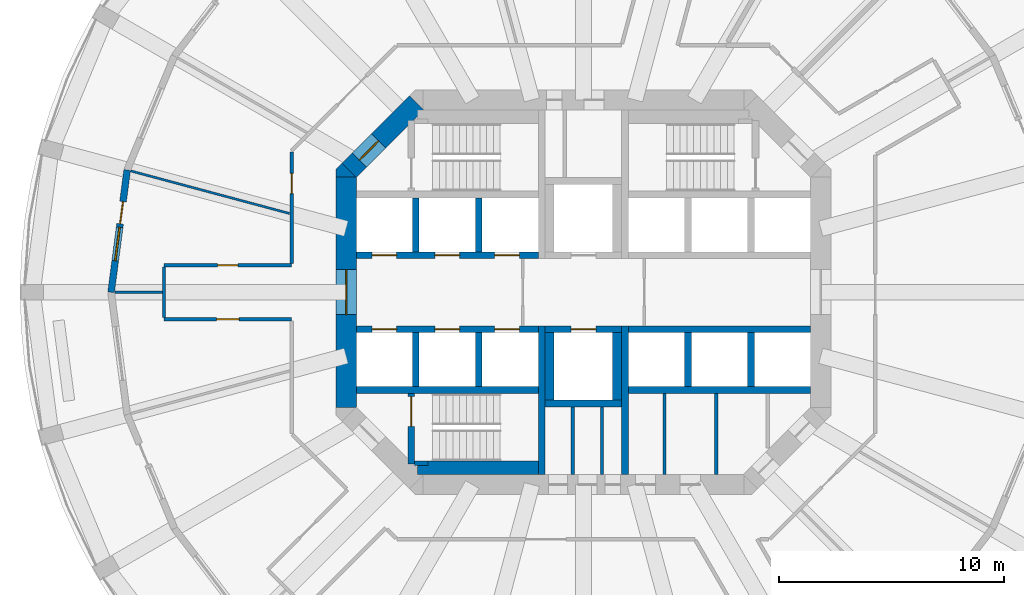
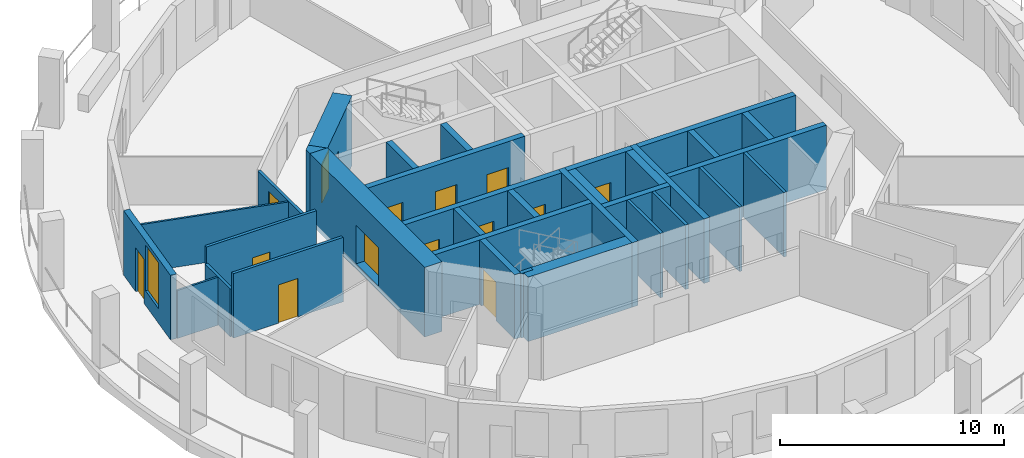
# One storey, part 3 of 8: 34 walls, 14 doors, 1 window, 15 openings.
"""IFC4 building model written with IfcOpenShell, lengths in metres."""

from ifc_helpers import new_model, si_unit, direction, frame, frame_2d, origin, place, context, subcontext, project, spatial, polyline, rectangle, outline, extrude, material, layer, layer_set, type_object, element, fill, save


model = new_model("IFC4")

# Units and contexts
model_context = context("Model", 3, precision=1e-05, world=origin(), true_north=direction((0.0, 1.0)))
body_context = subcontext(model_context, "Body", "Model", "MODEL_VIEW")
ifc_project = project(units=[si_unit("LENGTHUNIT", "METRE"), si_unit("AREAUNIT", "SQUARE_METRE"), si_unit("VOLUMEUNIT", "CUBIC_METRE"), si_unit("PLANEANGLEUNIT", "RADIAN"), si_unit("MASSUNIT", "GRAM", prefix="KILO")], contexts=[model_context])

# Site, building, storey
site_placement = place(None, origin())
site = spatial("IfcSite", under=ifc_project, at=site_placement, CompositionType="ELEMENT")
building_placement = place(site_placement, origin())
building = spatial("IfcBuilding", under=site, at=building_placement, Name="Torre Triforio", CompositionType="ELEMENT")
storey_placement = place(building_placement, frame((0.0, 0.0, 142.800048828125)))
storey = spatial("IfcBuildingStorey", under=building, at=storey_placement, Name="L32", CompositionType="ELEMENT", Elevation=142.800048828125)

# Walls
ifc_material_1 = material(Name="Concrete C60", Category="concrete")
ifc_layer_1 = layer(ifc_material_1, 0.300048828125)
ifc_layer_set_1 = layer_set([ifc_layer_1], Name="Concrete C60")
wall_type_1 = type_object("IfcWallType", Name="Core wall 300 mm C60 EI 120", PredefinedType="SHEAR", material=ifc_layer_set_1)
for number, where, z_axis, x_axis, name in (
    (1, (-1.85009765625, -8.10009765625, 0.0), (0.0, 0.0, 1.0), (0.0, 1.0, 0.0), "Core wall"),
    (2, (1.85009765625, -8.10009765625, 0.0), (0.0, 0.0, 1.0), (0.0, 1.0, 0.0), "Core wall"),
):
    element("IfcWall", number, at=place(storey_placement, frame(where, z_axis=z_axis, x_axis=x_axis)), inside=storey, type_object=wall_type_1, Name=name, PredefinedType="SHEAR", context=body_context, shape_type="SweptSolid", body=[
        extrude(rectangle(XDim=6.60009765625, YDim=0.300048828125, at=frame_2d((3.300048828125, 0.0))), origin(), (0.0, 0.0, 1.0), 3.52001953125),
    ])

# Wall, opening, door
ifc_layer_2 = layer(ifc_material_1, 0.89990234375)
ifc_layer_set_2 = layer_set([ifc_layer_2], Name="Concrete C60")
wall_type_2 = type_object("IfcWallType", Name="Core wall 900 mm C60 EI 120", PredefinedType="SHEAR", material=ifc_layer_set_2)
wall_1_placement = place(storey_placement, frame((-10.550048828125, -5.1298828125, -0.280029296875), z_axis=(0.0, 0.0, 1.0), x_axis=(0.0, 1.0, 0.0)))
wall_1 = element("IfcWall", 3, at=wall_1_placement, inside=storey, type_object=wall_type_2, Name="Core wall", PredefinedType="SHEAR", context=body_context, shape_type="SweptSolid", body=[
    extrude(rectangle(XDim=10.259765625, YDim=0.89990234375, at=frame_2d((5.1298828125, 0.0))), origin(), (0.0, 0.0, 1.0), 3.800048828125),
])
opening_1_placement = place(wall_1_placement, frame((4.1298828125, 0.0, 0.280029296875)))
opening_1 = element("IfcOpeningElement", 4, at=opening_1_placement, cuts=wall_1, Name="Opening W-RING", PredefinedType="OPENING", context=body_context, shape_type="SweptSolid", body=[
    extrude(rectangle(XDim=2.0, YDim=2.10009765625, at=frame_2d((1.0, 1.050048828125))), frame((0.0, 0.4599609375, 0.0), z_axis=(0.0, -1.0, 0.0), x_axis=(1.0, 0.0, 0.0)), (0.0, 0.0, 1.0), 0.919921875),
])
ifc_material_2 = material(Name="Hollow metal fire door leaf")
door_type_1 = type_object("IfcDoorType", Name="Lobby door 2000 x 2100 EI 60", OperationType="DOUBLE_DOOR_SINGLE_SWING", PredefinedType="DOOR", material=ifc_material_2)
door_1_placement = place(opening_1_placement, origin())
door_1 = element("IfcDoor", 5, at=door_1_placement, inside=storey, type_object=door_type_1, Name="Core door W-RING", OperationType="DOUBLE_DOOR_SINGLE_SWING", OverallHeight=2.10009765625, OverallWidth=2.0, PredefinedType="DOOR", context=body_context, shape_type="SweptSolid", body=[
    extrude(rectangle(XDim=2.0, YDim=2.10009765625, at=frame_2d((1.0, 1.050048828125))), frame((0.0, 0.02490234375, 0.0), z_axis=(0.0, -1.0, 0.0), x_axis=(1.0, 0.0, 0.0)), (0.0, 0.0, 1.0), 0.050048828125),
])
fill(opening_1, door_1)

wall_2_placement = place(storey_placement, frame((-10.418212890625, 5.418212890625, -0.280029296875), z_axis=(0.0, 0.0, 1.0), x_axis=(0.707106781187, 0.707106781187, 0.0)))
wall_2 = element("IfcWall", 6, at=wall_2_placement, inside=storey, type_object=wall_type_2, Name="Core wall", PredefinedType="SHEAR", context=body_context, shape_type="SweptSolid", body=[
    extrude(rectangle(XDim=4.24267578125, YDim=0.89990234375, at=frame_2d((2.121337890625, 0.0))), origin(), (0.0, 0.0, 1.0), 3.800048828125),
])
opening_2_placement = place(wall_2_placement, frame((0.64990234375, 0.0, 0.280029296875)))
opening_2 = element("IfcOpeningElement", 7, at=opening_2_placement, cuts=wall_2, Name="Opening ST1-EXIT", PredefinedType="OPENING", context=body_context, shape_type="SweptSolid", body=[
    extrude(rectangle(XDim=1.199951171875, YDim=2.10009765625, at=frame_2d((0.60009765625, 1.050048828125))), frame((0.0, 0.4599609375, 0.0), z_axis=(0.0, -1.0, 0.0), x_axis=(1.0, 0.0, 0.0)), (0.0, 0.0, 1.0), 0.919921875),
])
door_type_2 = type_object("IfcDoorType", Name="Stair lobby door 1200 x 2100 EI 60", OperationType="NOTDEFINED", PredefinedType="DOOR", material=ifc_material_2)
door_2_placement = place(opening_2_placement, origin())
door_2 = element("IfcDoor", 8, at=door_2_placement, inside=storey, type_object=door_type_2, Name="Core door ST1-EXIT", OperationType="SINGLE_SWING_RIGHT", OverallHeight=2.10009765625, OverallWidth=1.199951171875, PredefinedType="DOOR", context=body_context, shape_type="SweptSolid", body=[
    extrude(rectangle(XDim=1.199951171875, YDim=2.10009765625, at=frame_2d((0.60009765625, 1.050048828125))), frame((0.0, 0.02490234375, 0.0), z_axis=(0.0, -1.0, 0.0), x_axis=(1.0, 0.0, 0.0)), (0.0, 0.0, 1.0), 0.050048828125),
])
fill(opening_2, door_2)

# Wall
wall_3_placement = place(storey_placement, frame((0.0, 0.0, -0.280029296875)))
element("IfcWall", 9, at=wall_3_placement, inside=storey, type_object=wall_type_2, Name="Core wall", PredefinedType="SHEAR", context=body_context, shape_type="SweptSolid", body=[
    extrude(outline(polyline([(-10.736328125, 5.736328125), (-10.1298828125, 5.1298828125), (-11.0, 5.1298828125), (-11.0, 5.472900390625), (-10.736328125, 5.736328125)])), origin(), (0.0, 0.0, 1.0), 3.800048828125),
])

# Wall, opening, door
ifc_material_3 = material(Name="Plasterboard on metal studs")
ifc_layer_3 = layer(ifc_material_3, 0.14990234375)
ifc_layer_set_3 = layer_set([ifc_layer_3], Name="Plasterboard on metal studs")
wall_type_3 = type_object("IfcWallType", Name="Corridor and tenancy wall 150 mm EI 60", PredefinedType="PARTITIONING", material=ifc_layer_set_3)
wall_4_placement = place(storey_placement, frame((-12.97509765625, -1.199951171875, 0.0), z_axis=(0.0, 0.0, 1.0), x_axis=(-1.0, 0.0, 0.0)))
wall_4 = element("IfcWall", 10, at=wall_4_placement, inside=storey, type_object=wall_type_3, Name="Partition 4", PredefinedType="PARTITIONING", context=body_context, shape_type="SweptSolid", body=[
    extrude(rectangle(XDim=5.673583984375, YDim=0.14990234375, at=frame_2d((2.8369140625, 0.0))), origin(), (0.0, 0.0, 1.0), 3.52001953125),
])
opening_3_placement = place(wall_4_placement, frame((2.3369140625, 0.0, 0.0)))
opening_3 = element("IfcOpeningElement", 11, at=opening_3_placement, cuts=wall_4, Name="Opening D3-04", PredefinedType="OPENING", context=body_context, shape_type="SweptSolid", body=[
    extrude(rectangle(XDim=1.0, YDim=2.10009765625, at=frame_2d((0.5, 1.050048828125))), frame((0.0, 0.0849609375, 0.0), z_axis=(0.0, -1.0, 0.0), x_axis=(1.0, 0.0, 0.0)), (0.0, 0.0, 1.0), 0.169921875),
])
ifc_material_4 = material(Name="Timber", Category="wood")
door_type_3 = type_object("IfcDoorType", Name="Door 1000 x 2100 single leaf EI 30", OperationType="NOTDEFINED", PredefinedType="DOOR", material=ifc_material_4)
door_3_placement = place(opening_3_placement, origin())
door_3 = element("IfcDoor", 12, at=door_3_placement, inside=storey, type_object=door_type_3, Name="Door D3-04", OperationType="SINGLE_SWING_RIGHT", OverallHeight=2.10009765625, OverallWidth=1.0, PredefinedType="DOOR", context=body_context, shape_type="SweptSolid", body=[
    extrude(rectangle(XDim=1.0, YDim=2.10009765625, at=frame_2d((0.5, 1.050048828125))), frame((0.0, 0.02490234375, 0.0), z_axis=(0.0, -1.0, 0.0), x_axis=(1.0, 0.0, 0.0)), (0.0, 0.0, 1.0), 0.050048828125),
])
fill(opening_3, door_3)

# Wall
wall_5_placement = place(storey_placement, frame((-18.648681640625, -1.125, 0.0), z_axis=(0.0, 0.0, 1.0), x_axis=(0.0, 1.0, 0.0)))
element("IfcWall", 13, at=wall_5_placement, inside=storey, type_object=wall_type_3, Name="Partition 5", PredefinedType="PARTITIONING", context=body_context, shape_type="SweptSolid", body=[
    extrude(rectangle(XDim=2.25, YDim=0.14990234375, at=frame_2d((1.125, 0.0))), origin(), (0.0, 0.0, 1.0), 2.619873046875),
])

# Wall, opening, door
wall_6_placement = place(storey_placement, frame((-18.648681640625, 1.199951171875, 0.0), z_axis=(0.0, 0.0, 1.0), x_axis=(1.0, 0.0, 0.0)))
wall_6 = element("IfcWall", 14, at=wall_6_placement, inside=storey, type_object=wall_type_3, Name="Partition 6", PredefinedType="PARTITIONING", context=body_context, shape_type="SweptSolid", body=[
    extrude(rectangle(XDim=5.673583984375, YDim=0.14990234375, at=frame_2d((2.8369140625, 0.0))), origin(), (0.0, 0.0, 1.0), 3.52001953125),
])
opening_4_placement = place(wall_6_placement, frame((2.386962890625, 0.0, 0.0)))
opening_4 = element("IfcOpeningElement", 15, at=opening_4_placement, cuts=wall_6, Name="Opening D3-03", PredefinedType="OPENING", context=body_context, shape_type="SweptSolid", body=[
    extrude(rectangle(XDim=0.89990234375, YDim=2.10009765625, at=frame_2d((0.449951171875, 1.050048828125))), frame((0.0, 0.0849609375, 0.0), z_axis=(0.0, -1.0, 0.0), x_axis=(1.0, 0.0, 0.0)), (0.0, 0.0, 1.0), 0.169921875),
])
door_type_4 = type_object("IfcDoorType", Name="Door 900 x 2100 single leaf EI 30", OperationType="NOTDEFINED", PredefinedType="DOOR", material=ifc_material_4)
door_4_placement = place(opening_4_placement, origin())
door_4 = element("IfcDoor", 16, at=door_4_placement, inside=storey, type_object=door_type_4, Name="Door D3-03", OperationType="SINGLE_SWING_RIGHT", OverallHeight=2.10009765625, OverallWidth=0.89990234375, PredefinedType="DOOR", context=body_context, shape_type="SweptSolid", body=[
    extrude(rectangle(XDim=0.89990234375, YDim=2.10009765625, at=frame_2d((0.449951171875, 1.050048828125))), frame((0.0, 0.02490234375, 0.0), z_axis=(0.0, -1.0, 0.0), x_axis=(1.0, 0.0, 0.0)), (0.0, 0.0, 1.0), 0.050048828125),
])
fill(opening_4, door_4)

wall_7_placement = place(storey_placement, frame((-12.97509765625, 1.27490234375, 0.0), z_axis=(0.0, 0.0, 1.0), x_axis=(0.0, 1.0, 0.0)))
wall_7 = element("IfcWall", 17, at=wall_7_placement, inside=storey, type_object=wall_type_3, Name="Partition 7", PredefinedType="PARTITIONING", context=body_context, shape_type="SweptSolid", body=[
    extrude(rectangle(XDim=4.96337890625, YDim=0.14990234375, at=frame_2d((2.481689453125, 0.0))), origin(), (0.0, 0.0, 1.0), 2.619873046875),
])
opening_5_placement = place(wall_7_placement, frame((3.107421875, 0.0, 0.0)))
opening_5 = element("IfcOpeningElement", 18, at=opening_5_placement, cuts=wall_7, Name="Opening D3-02", PredefinedType="OPENING", context=body_context, shape_type="SweptSolid", body=[
    extrude(rectangle(XDim=0.89990234375, YDim=2.10009765625, at=frame_2d((0.449951171875, 1.050048828125))), frame((0.0, 0.0849609375, 0.0), z_axis=(0.0, -1.0, 0.0), x_axis=(1.0, 0.0, 0.0)), (0.0, 0.0, 1.0), 0.169921875),
])
door_5_placement = place(opening_5_placement, origin())
door_5 = element("IfcDoor", 19, at=door_5_placement, inside=storey, type_object=door_type_4, Name="Door D3-02", OperationType="SINGLE_SWING_LEFT", OverallHeight=2.10009765625, OverallWidth=0.89990234375, PredefinedType="DOOR", context=body_context, shape_type="SweptSolid", body=[
    extrude(rectangle(XDim=0.89990234375, YDim=2.10009765625, at=frame_2d((0.449951171875, 1.050048828125))), frame((0.0, 0.02490234375, 0.0), z_axis=(0.0, -1.0, 0.0), x_axis=(1.0, 0.0, 0.0)), (0.0, 0.0, 1.0), 0.050048828125),
])
fill(opening_5, door_5)

# Walls
ifc_layer_4 = layer(ifc_material_3, 0.10009765625)
ifc_layer_set_4 = layer_set([ifc_layer_4], Name="Plasterboard on metal studs")
wall_type_4 = type_object("IfcWallType", Name="Partition 100 mm board on metal studs", PredefinedType="PARTITIONING", material=ifc_layer_set_4)
wall_8_placement = place(storey_placement, frame((-13.064208984375, 3.50048828125, 0.0), z_axis=(0.0, 0.0, 1.0), x_axis=(-0.965927781613, 0.258811747624, 0.0)))
element("IfcWall", 20, at=wall_8_placement, inside=storey, type_object=wall_type_4, Name="Partition 36", PredefinedType="PARTITIONING", context=body_context, shape_type="SweptSolid", body=[
    extrude(rectangle(XDim=7.3115234375, YDim=0.10009765625, at=frame_2d((3.65576171875, 0.0))), origin(), (0.0, 0.0, 1.0), 2.619873046875),
])
wall_9_placement = place(storey_placement, frame((-18.7236328125, 0.0, 0.0), z_axis=(0.0, 0.0, 1.0), x_axis=(-1.0, 0.0, 0.0)))
element("IfcWall", 21, at=wall_9_placement, inside=storey, type_object=wall_type_4, Name="Partition 37", PredefinedType="PARTITIONING", context=body_context, shape_type="SweptSolid", body=[
    extrude(rectangle(XDim=2.113037109375, YDim=0.10009765625, at=frame_2d((1.056640625, 0.0))), origin(), (0.0, 0.0, 1.0), 2.619873046875),
])
ifc_material_5 = material(Name="Block and board partition")
ifc_layer_5 = layer(ifc_material_5, 0.14990234375)
ifc_layer_set_5 = layer_set([ifc_layer_5], Name="Block and board partition")
wall_type_5 = type_object("IfcWallType", Name="Partition 150 mm", PredefinedType="PARTITIONING", material=ifc_layer_set_5)
wall_10_placement = place(storey_placement, frame((-0.47509765625, -8.10009765625, 0.0), z_axis=(0.0, 0.0, 1.0), x_axis=(0.0, 1.0, 0.0)))
element("IfcWall", 22, at=wall_10_placement, inside=storey, type_object=wall_type_5, Name="Partition", PredefinedType="PARTITIONING", context=body_context, shape_type="SweptSolid", body=[
    extrude(rectangle(XDim=3.0, YDim=0.14990234375, at=frame_2d((1.5, 0.0))), origin(), (0.0, 0.0, 1.0), 3.52001953125),
])
for number, where, z_axis, x_axis, name in (
    (23, (3.60498046875, -8.10009765625, 0.0), (0.0, 0.0, 1.0), (0.0, 1.0, 0.0), "Partition"),
    (24, (5.89697265625, -8.10009765625, 0.0), (0.0, 0.0, 1.0), (0.0, 1.0, 0.0), "Partition"),
):
    element("IfcWall", number, at=place(storey_placement, frame(where, z_axis=z_axis, x_axis=x_axis)), inside=storey, type_object=wall_type_5, Name=name, PredefinedType="PARTITIONING", context=body_context, shape_type="SweptSolid", body=[
        extrude(rectangle(XDim=3.60009765625, YDim=0.14990234375, at=frame_2d((1.800048828125, 0.0))), origin(), (0.0, 0.0, 1.0), 3.52001953125),
    ])
ifc_layer_6 = layer(ifc_material_5, 0.14990234375)
ifc_layer_set_6 = layer_set([ifc_layer_6], Name="Block and board partition")
wall_type_6 = type_object("IfcWallType", Name="Partition 150 mm EI 120", PredefinedType="PARTITIONING", material=ifc_layer_set_6)
wall_11_placement = place(storey_placement, frame((0.824951171875, -8.10009765625, 0.0), z_axis=(0.0, 0.0, 1.0), x_axis=(0.0, 1.0, 0.0)))
element("IfcWall", 25, at=wall_11_placement, inside=storey, type_object=wall_type_6, Name="Partition", PredefinedType="PARTITIONING", context=body_context, shape_type="SweptSolid", body=[
    extrude(rectangle(XDim=3.0, YDim=0.14990234375, at=frame_2d((1.5, 0.0))), origin(), (0.0, 0.0, 1.0), 3.52001953125),
])
ifc_layer_7 = layer(ifc_material_1, 0.300048828125)
ifc_layer_set_7 = layer_set([ifc_layer_7], Name="Concrete C60")
wall_type_7 = type_object("IfcWallType", Name="Shaft wall 300 mm C60 EI 120", PredefinedType="SOLIDWALL", material=ifc_layer_set_7)
for number, where, z_axis, x_axis, name in (
    (26, (-10.10009765625, -4.35009765625, 0.0), (0.0, 0.0, 1.0), (1.0, 0.0, 0.0), "Shaft wall"),
    (27, (2.0, -4.35009765625, 0.0), (0.0, 0.0, 1.0), (1.0, 0.0, 0.0), "Shaft wall"),
):
    element("IfcWall", number, at=place(storey_placement, frame(where, z_axis=z_axis, x_axis=x_axis)), inside=storey, type_object=wall_type_7, Name=name, PredefinedType="SOLIDWALL", context=body_context, shape_type="SweptSolid", body=[
        extrude(rectangle(XDim=8.10009765625, YDim=0.300048828125, at=frame_2d((4.050048828125, 0.0))), origin(), (0.0, 0.0, 1.0), 3.52001953125),
    ])

# Wall, openings, doors
wall_12_placement = place(storey_placement, frame((-10.10009765625, 1.64990234375, 0.0), z_axis=(0.0, 0.0, 1.0), x_axis=(1.0, 0.0, 0.0)))
wall_12 = element("IfcWall", 28, at=wall_12_placement, inside=storey, type_object=wall_type_7, Name="Shaft wall", PredefinedType="SOLIDWALL", context=body_context, shape_type="SweptSolid", body=[
    extrude(rectangle(XDim=8.10009765625, YDim=0.300048828125, at=frame_2d((4.050048828125, 0.0))), origin(), (0.0, 0.0, 1.0), 3.52001953125),
])
opening_6_placement = place(wall_12_placement, frame((0.699951171875, 0.0, 0.0)))
opening_6 = element("IfcOpeningElement", 29, at=opening_6_placement, cuts=wall_12, Name="Opening LD", PredefinedType="OPENING", context=body_context, shape_type="SweptSolid", body=[
    extrude(rectangle(XDim=1.10009765625, YDim=2.10009765625, at=frame_2d((0.550048828125, 1.050048828125))), frame((0.0, 0.159912109375, 0.0), z_axis=(0.0, -1.0, 0.0), x_axis=(1.0, 0.0, 0.0)), (0.0, 0.0, 1.0), 0.320068359375),
])
opening_7_placement = place(wall_12_placement, frame((3.5, 0.0, 0.0)))
opening_7 = element("IfcOpeningElement", 30, at=opening_7_placement, cuts=wall_12, Name="Opening LD", PredefinedType="OPENING", context=body_context, shape_type="SweptSolid", body=[
    extrude(rectangle(XDim=1.10009765625, YDim=2.10009765625, at=frame_2d((0.550048828125, 1.050048828125))), frame((0.0, 0.159912109375, 0.0), z_axis=(0.0, -1.0, 0.0), x_axis=(1.0, 0.0, 0.0)), (0.0, 0.0, 1.0), 0.320068359375),
])
opening_8_placement = place(wall_12_placement, frame((6.14990234375, 0.0, 0.0)))
opening_8 = element("IfcOpeningElement", 31, at=opening_8_placement, cuts=wall_12, Name="Opening LD", PredefinedType="OPENING", context=body_context, shape_type="SweptSolid", body=[
    extrude(rectangle(XDim=1.10009765625, YDim=2.10009765625, at=frame_2d((0.550048828125, 1.050048828125))), frame((0.0, 0.159912109375, 0.0), z_axis=(0.0, -1.0, 0.0), x_axis=(1.0, 0.0, 0.0)), (0.0, 0.0, 1.0), 0.320068359375),
])
door_type_5 = type_object("IfcDoorType", Name="Landing door 1100 x 2100 EI 60", OperationType="DOUBLE_DOOR_SLIDING", PredefinedType="DOOR", material=ifc_material_2)
door_6_placement = place(opening_6_placement, origin())
door_6 = element("IfcDoor", 32, at=door_6_placement, inside=storey, type_object=door_type_5, Name="Landing door LR1", OperationType="DOUBLE_DOOR_SLIDING", OverallHeight=2.10009765625, OverallWidth=1.10009765625, PredefinedType="DOOR", context=body_context, shape_type="SweptSolid", body=[
    extrude(rectangle(XDim=1.10009765625, YDim=2.10009765625, at=frame_2d((0.550048828125, 1.050048828125))), frame((0.0, 0.02490234375, 0.0), z_axis=(0.0, -1.0, 0.0), x_axis=(1.0, 0.0, 0.0)), (0.0, 0.0, 1.0), 0.050048828125),
])
fill(opening_6, door_6)
door_7_placement = place(opening_7_placement, origin())
door_7 = element("IfcDoor", 33, at=door_7_placement, inside=storey, type_object=door_type_5, Name="Landing door LR2", OperationType="DOUBLE_DOOR_SLIDING", OverallHeight=2.10009765625, OverallWidth=1.10009765625, PredefinedType="DOOR", context=body_context, shape_type="SweptSolid", body=[
    extrude(rectangle(XDim=1.10009765625, YDim=2.10009765625, at=frame_2d((0.550048828125, 1.050048828125))), frame((0.0, 0.02490234375, 0.0), z_axis=(0.0, -1.0, 0.0), x_axis=(1.0, 0.0, 0.0)), (0.0, 0.0, 1.0), 0.050048828125),
])
fill(opening_7, door_7)
door_8_placement = place(opening_8_placement, origin())
door_8 = element("IfcDoor", 34, at=door_8_placement, inside=storey, type_object=door_type_5, Name="Landing door LR3", OperationType="DOUBLE_DOOR_SLIDING", OverallHeight=2.10009765625, OverallWidth=1.10009765625, PredefinedType="DOOR", context=body_context, shape_type="SweptSolid", body=[
    extrude(rectangle(XDim=1.10009765625, YDim=2.10009765625, at=frame_2d((0.550048828125, 1.050048828125))), frame((0.0, 0.02490234375, 0.0), z_axis=(0.0, -1.0, 0.0), x_axis=(1.0, 0.0, 0.0)), (0.0, 0.0, 1.0), 0.050048828125),
])
fill(opening_8, door_8)

wall_13_placement = place(storey_placement, frame((-10.10009765625, -1.64990234375, 0.0), z_axis=(0.0, 0.0, 1.0), x_axis=(1.0, 0.0, 0.0)))
wall_13 = element("IfcWall", 35, at=wall_13_placement, inside=storey, type_object=wall_type_7, Name="Shaft wall", PredefinedType="SOLIDWALL", context=body_context, shape_type="SweptSolid", body=[
    extrude(rectangle(XDim=8.10009765625, YDim=0.300048828125, at=frame_2d((4.050048828125, 0.0))), origin(), (0.0, 0.0, 1.0), 3.52001953125),
])
opening_9_placement = place(wall_13_placement, frame((0.699951171875, 0.0, 0.0)))
opening_9 = element("IfcOpeningElement", 36, at=opening_9_placement, cuts=wall_13, Name="Opening LD", PredefinedType="OPENING", context=body_context, shape_type="SweptSolid", body=[
    extrude(rectangle(XDim=1.10009765625, YDim=2.10009765625, at=frame_2d((0.550048828125, 1.050048828125))), frame((0.0, 0.159912109375, 0.0), z_axis=(0.0, -1.0, 0.0), x_axis=(1.0, 0.0, 0.0)), (0.0, 0.0, 1.0), 0.320068359375),
])
opening_10_placement = place(wall_13_placement, frame((3.5, 0.0, 0.0)))
opening_10 = element("IfcOpeningElement", 37, at=opening_10_placement, cuts=wall_13, Name="Opening LD", PredefinedType="OPENING", context=body_context, shape_type="SweptSolid", body=[
    extrude(rectangle(XDim=1.10009765625, YDim=2.10009765625, at=frame_2d((0.550048828125, 1.050048828125))), frame((0.0, 0.159912109375, 0.0), z_axis=(0.0, -1.0, 0.0), x_axis=(1.0, 0.0, 0.0)), (0.0, 0.0, 1.0), 0.320068359375),
])
opening_11_placement = place(wall_13_placement, frame((6.14990234375, 0.0, 0.0)))
opening_11 = element("IfcOpeningElement", 38, at=opening_11_placement, cuts=wall_13, Name="Opening LD", PredefinedType="OPENING", context=body_context, shape_type="SweptSolid", body=[
    extrude(rectangle(XDim=1.10009765625, YDim=2.10009765625, at=frame_2d((0.550048828125, 1.050048828125))), frame((0.0, 0.159912109375, 0.0), z_axis=(0.0, -1.0, 0.0), x_axis=(1.0, 0.0, 0.0)), (0.0, 0.0, 1.0), 0.320068359375),
])
door_9_placement = place(opening_9_placement, origin())
door_9 = element("IfcDoor", 39, at=door_9_placement, inside=storey, type_object=door_type_5, Name="Landing door LR4", OperationType="DOUBLE_DOOR_SLIDING", OverallHeight=2.10009765625, OverallWidth=1.10009765625, PredefinedType="DOOR", context=body_context, shape_type="SweptSolid", body=[
    extrude(rectangle(XDim=1.10009765625, YDim=2.10009765625, at=frame_2d((0.550048828125, 1.050048828125))), frame((0.0, 0.02490234375, 0.0), z_axis=(0.0, -1.0, 0.0), x_axis=(1.0, 0.0, 0.0)), (0.0, 0.0, 1.0), 0.050048828125),
])
fill(opening_9, door_9)
door_10_placement = place(opening_10_placement, origin())
door_10 = element("IfcDoor", 40, at=door_10_placement, inside=storey, type_object=door_type_5, Name="Landing door LR5", OperationType="DOUBLE_DOOR_SLIDING", OverallHeight=2.10009765625, OverallWidth=1.10009765625, PredefinedType="DOOR", context=body_context, shape_type="SweptSolid", body=[
    extrude(rectangle(XDim=1.10009765625, YDim=2.10009765625, at=frame_2d((0.550048828125, 1.050048828125))), frame((0.0, 0.02490234375, 0.0), z_axis=(0.0, -1.0, 0.0), x_axis=(1.0, 0.0, 0.0)), (0.0, 0.0, 1.0), 0.050048828125),
])
fill(opening_10, door_10)
door_11_placement = place(opening_11_placement, origin())
door_11 = element("IfcDoor", 41, at=door_11_placement, inside=storey, type_object=door_type_5, Name="Landing door LR6", OperationType="DOUBLE_DOOR_SLIDING", OverallHeight=2.10009765625, OverallWidth=1.10009765625, PredefinedType="DOOR", context=body_context, shape_type="SweptSolid", body=[
    extrude(rectangle(XDim=1.10009765625, YDim=2.10009765625, at=frame_2d((0.550048828125, 1.050048828125))), frame((0.0, 0.02490234375, 0.0), z_axis=(0.0, -1.0, 0.0), x_axis=(1.0, 0.0, 0.0)), (0.0, 0.0, 1.0), 0.050048828125),
])
fill(opening_11, door_11)

# Walls
wall_14_placement = place(storey_placement, frame((2.0, -1.64990234375, 0.0), z_axis=(0.0, 0.0, 1.0), x_axis=(1.0, 0.0, 0.0)))
element("IfcWall", 42, at=wall_14_placement, inside=storey, type_object=wall_type_7, Name="Shaft wall", PredefinedType="SOLIDWALL", context=body_context, shape_type="SweptSolid", body=[
    extrude(rectangle(XDim=8.10009765625, YDim=0.300048828125, at=frame_2d((4.050048828125, 0.0))), origin(), (0.0, 0.0, 1.0), 3.52001953125),
])
for number, where, z_axis, x_axis, name in (
    (43, (-7.449951171875, 1.800048828125, 0.0), (0.0, 0.0, 1.0), (0.0, 1.0, 0.0), "Shaft wall"),
    (44, (-7.449951171875, -4.199951171875, 0.0), (0.0, 0.0, 1.0), (0.0, 1.0, 0.0), "Shaft wall"),
    (45, (-4.64990234375, 1.800048828125, 0.0), (0.0, 0.0, 1.0), (0.0, 1.0, 0.0), "Shaft wall"),
    (46, (-4.64990234375, -4.199951171875, 0.0), (0.0, 0.0, 1.0), (0.0, 1.0, 0.0), "Shaft wall"),
    (47, (4.64990234375, -4.199951171875, 0.0), (0.0, 0.0, 1.0), (0.0, 1.0, 0.0), "Shaft wall"),
    (48, (7.449951171875, -4.199951171875, 0.0), (0.0, 0.0, 1.0), (0.0, 1.0, 0.0), "Shaft wall"),
):
    element("IfcWall", number, at=place(storey_placement, frame(where, z_axis=z_axis, x_axis=x_axis)), inside=storey, type_object=wall_type_7, Name=name, PredefinedType="SOLIDWALL", context=body_context, shape_type="SweptSolid", body=[
        extrude(rectangle(XDim=2.39990234375, YDim=0.300048828125, at=frame_2d((1.199951171875, 0.0))), origin(), (0.0, 0.0, 1.0), 3.52001953125),
    ])

# Wall, opening, door
wall_15_placement = place(storey_placement, frame((-1.699951171875, -1.64990234375, 0.0), z_axis=(0.0, 0.0, 1.0), x_axis=(1.0, 0.0, 0.0)))
wall_15 = element("IfcWall", 49, at=wall_15_placement, inside=storey, type_object=wall_type_7, Name="Shaft wall", PredefinedType="SOLIDWALL", context=body_context, shape_type="SweptSolid", body=[
    extrude(rectangle(XDim=3.39990234375, YDim=0.300048828125, at=frame_2d((1.699951171875, 0.0))), origin(), (0.0, 0.0, 1.0), 3.52001953125),
])
opening_12_placement = place(wall_15_placement, frame((1.14990234375, 0.0, 0.0)))
opening_12 = element("IfcOpeningElement", 50, at=opening_12_placement, cuts=wall_15, Name="Opening LD", PredefinedType="OPENING", context=body_context, shape_type="SweptSolid", body=[
    extrude(rectangle(XDim=1.10009765625, YDim=2.10009765625, at=frame_2d((0.550048828125, 1.050048828125))), frame((0.0, 0.159912109375, 0.0), z_axis=(0.0, -1.0, 0.0), x_axis=(1.0, 0.0, 0.0)), (0.0, 0.0, 1.0), 0.320068359375),
])
door_12_placement = place(opening_12_placement, origin())
door_12 = element("IfcDoor", 51, at=door_12_placement, inside=storey, type_object=door_type_5, Name="Landing door FFL2", OperationType="DOUBLE_DOOR_SLIDING", OverallHeight=2.10009765625, OverallWidth=1.10009765625, PredefinedType="DOOR", context=body_context, shape_type="SweptSolid", body=[
    extrude(rectangle(XDim=1.10009765625, YDim=2.10009765625, at=frame_2d((0.550048828125, 1.050048828125))), frame((0.0, 0.02490234375, 0.0), z_axis=(0.0, -1.0, 0.0), x_axis=(1.0, 0.0, 0.0)), (0.0, 0.0, 1.0), 0.050048828125),
])
fill(opening_12, door_12)

# Walls
wall_16_placement = place(storey_placement, frame((-1.699951171875, -4.949951171875, 0.0), z_axis=(0.0, 0.0, 1.0), x_axis=(1.0, 0.0, 0.0)))
element("IfcWall", 52, at=wall_16_placement, inside=storey, type_object=wall_type_7, Name="Shaft wall", PredefinedType="SOLIDWALL", context=body_context, shape_type="SweptSolid", body=[
    extrude(rectangle(XDim=3.39990234375, YDim=0.300048828125, at=frame_2d((1.699951171875, 0.0))), origin(), (0.0, 0.0, 1.0), 3.52001953125),
])
ifc_layer_8 = layer(ifc_material_1, 0.39990234375)
ifc_layer_set_8 = layer_set([ifc_layer_8], Name="Concrete C60")
wall_type_8 = type_object("IfcWallType", Name="Shaft wall 400 mm C60 EI 120", PredefinedType="SOLIDWALL", material=ifc_layer_set_8)
for number, where, z_axis, x_axis, name in (
    (53, (-1.5, -4.800048828125, 0.0), (0.0, 0.0, 1.0), (0.0, 1.0, 0.0), "Shaft wall"),
    (54, (1.5, -4.800048828125, 0.0), (0.0, 0.0, 1.0), (0.0, 1.0, 0.0), "Shaft wall"),
):
    element("IfcWall", number, at=place(storey_placement, frame(where, z_axis=z_axis, x_axis=x_axis)), inside=storey, type_object=wall_type_8, Name=name, PredefinedType="SOLIDWALL", context=body_context, shape_type="SweptSolid", body=[
        extrude(rectangle(XDim=3.0, YDim=0.39990234375, at=frame_2d((1.5, 0.0))), origin(), (0.0, 0.0, 1.0), 3.52001953125),
    ])
ifc_layer_9 = layer(ifc_material_1, 0.199951171875)
ifc_layer_set_9 = layer_set([ifc_layer_9], Name="Concrete C60")
wall_type_9 = type_object("IfcWallType", Name="Stair wall 200 mm C60 EI 120", PredefinedType="SHEAR", material=ifc_layer_set_9)
wall_17_placement = place(storey_placement, frame((-7.5, -7.60009765625, 0.0), z_axis=(0.0, 0.0, 1.0), x_axis=(1.0, 0.0, 0.0)))
element("IfcWall", 55, at=wall_17_placement, inside=storey, type_object=wall_type_9, Name="Stair wall", PredefinedType="SHEAR", context=body_context, shape_type="SweptSolid", body=[
    extrude(rectangle(XDim=0.60009765625, YDim=0.199951171875, at=frame_2d((0.300048828125, 0.0))), origin(), (0.0, 0.0, 1.0), 3.52001953125),
])

# Wall, opening, door
ifc_layer_10 = layer(ifc_material_1, 0.300048828125)
ifc_layer_set_10 = layer_set([ifc_layer_10], Name="Concrete C60")
wall_type_10 = type_object("IfcWallType", Name="Stair wall 300 mm C60 EI 120", PredefinedType="SHEAR", material=ifc_layer_set_10)
wall_18_placement = place(storey_placement, frame((-7.64990234375, -7.639892578125, 0.0), z_axis=(0.0, 0.0, 1.0), x_axis=(0.0, 1.0, 0.0)))
wall_18 = element("IfcWall", 56, at=wall_18_placement, inside=storey, type_object=wall_type_10, Name="Stair wall", PredefinedType="SHEAR", context=body_context, shape_type="SweptSolid", body=[
    extrude(rectangle(XDim=3.139892578125, YDim=0.300048828125, at=frame_2d((1.56982421875, 0.0))), origin(), (0.0, 0.0, 1.0), 3.52001953125),
])
opening_13_placement = place(wall_18_placement, frame((1.679931640625, 0.0, 0.0)))
opening_13 = element("IfcOpeningElement", 57, at=opening_13_placement, cuts=wall_18, Name="Opening ST3-STA", PredefinedType="OPENING", context=body_context, shape_type="SweptSolid", body=[
    extrude(rectangle(XDim=1.320068359375, YDim=2.10009765625, at=frame_2d((0.66015625, 1.050048828125))), frame((0.0, 0.159912109375, 0.0), z_axis=(0.0, -1.0, 0.0), x_axis=(1.0, 0.0, 0.0)), (0.0, 0.0, 1.0), 0.320068359375),
])
door_type_6 = type_object("IfcDoorType", Name="Stair door 1320 x 2100 EI 90", OperationType="DOUBLE_DOOR_SINGLE_SWING", PredefinedType="DOOR", material=ifc_material_2)
door_13_placement = place(opening_13_placement, origin())
door_13 = element("IfcDoor", 58, at=door_13_placement, inside=storey, type_object=door_type_6, Name="Core door ST3-ST", OperationType="DOUBLE_DOOR_SINGLE_SWING", OverallHeight=2.10009765625, OverallWidth=1.320068359375, PredefinedType="DOOR", context=body_context, shape_type="SweptSolid", body=[
    extrude(rectangle(XDim=1.320068359375, YDim=2.10009765625, at=frame_2d((0.66015625, 1.050048828125))), frame((0.0, 0.02490234375, 0.0), z_axis=(0.0, -1.0, 0.0), x_axis=(1.0, 0.0, 0.0)), (0.0, 0.0, 1.0), 0.050048828125),
])
fill(opening_13, door_13)

# Wall
ifc_layer_11 = layer(ifc_material_1, 0.60009765625)
ifc_layer_set_11 = layer_set([ifc_layer_11], Name="Concrete C60")
wall_type_11 = type_object("IfcWallType", Name="Stair wall 600 mm C60 EI 120", PredefinedType="SHEAR", material=ifc_layer_set_11)
wall_19_placement = place(storey_placement, frame((-7.3701171875, -7.800048828125, 0.0), z_axis=(0.0, 0.0, 1.0), x_axis=(1.0, 0.0, 0.0)))
element("IfcWall", 59, at=wall_19_placement, inside=storey, type_object=wall_type_11, Name="Stair wall", PredefinedType="SHEAR", context=body_context, shape_type="SweptSolid", body=[
    extrude(rectangle(XDim=5.3701171875, YDim=0.60009765625, at=frame_2d((2.68505859375, 0.0))), origin(), (0.0, 0.0, 1.0), 3.52001953125),
])

# Wall, openings, door, window
ifc_material_6 = material(Name="Limestone cladding", Category="masonry")
ifc_layer_12 = layer(ifc_material_6, 0.10009765625)
ifc_material_7 = material(Name="Concrete C40", Category="concrete")
ifc_layer_13 = layer(ifc_material_7, 0.199951171875)
ifc_layer_set_12 = layer_set([ifc_layer_12, ifc_layer_13], Name="Limestone cladding / Concrete C40")
wall_type_12 = type_object("IfcWallType", Name="Stone-faced composite wall 300", PredefinedType="STANDARD", material=ifc_layer_set_12)
wall_20_placement = place(storey_placement, frame((-20.284423828125, 5.435302734375, 0.0), z_axis=(0.0, 0.0, 1.0), x_axis=(-0.130527087244, -0.991444743541, 0.0)))
wall_20 = element("IfcWall", 60, at=wall_20_placement, inside=storey, type_object=wall_type_12, Name="External wall L32 bay 12", PredefinedType="STANDARD", context=body_context, shape_type="SweptSolid", body=[
    extrude(rectangle(XDim=5.482177734375, YDim=0.300048828125, at=frame_2d((2.7412109375, 0.0))), origin(), (0.0, 0.0, 1.0), 3.52001953125),
])
opening_14_placement = place(wall_20_placement, frame((1.416015625, 0.0, 0.0)))
opening_14 = element("IfcOpeningElement", 61, at=opening_14_placement, cuts=wall_20, Name="Opening D3-D12", PredefinedType="OPENING", context=body_context, shape_type="SweptSolid", body=[
    extrude(rectangle(XDim=1.0, YDim=2.39990234375, at=frame_2d((0.5, 1.199951171875))), frame((0.0, 0.159912109375, 0.0), z_axis=(0.0, -1.0, 0.0), x_axis=(1.0, 0.0, 0.0)), (0.0, 0.0, 1.0), 0.320068359375),
])
opening_15_placement = place(wall_20_placement, frame((2.566162109375, 0.0, 0.800048828125)))
opening_15 = element("IfcOpeningElement", 62, at=opening_15_placement, cuts=wall_20, Name="Opening D3-W12A", PredefinedType="OPENING", context=body_context, shape_type="SweptSolid", body=[
    extrude(rectangle(XDim=1.5, YDim=2.5, at=frame_2d((0.75, 1.25))), frame((0.0, 0.159912109375, 0.0), z_axis=(0.0, -1.0, 0.0), x_axis=(1.0, 0.0, 0.0)), (0.0, 0.0, 1.0), 0.320068359375),
])
ifc_material_8 = material(Name="Aluminium frame with clear double glazing", Category="aluminium")
door_type_7 = type_object("IfcDoorType", Name="Loggia door 1000 x 2400", OperationType="NOTDEFINED", PredefinedType="DOOR", material=ifc_material_8)
door_14_placement = place(opening_14_placement, origin())
door_14 = element("IfcDoor", 63, at=door_14_placement, inside=storey, type_object=door_type_7, Name="Loggia door L32 bay 12", OperationType="SINGLE_SWING_LEFT", OverallHeight=2.39990234375, OverallWidth=1.0, PredefinedType="DOOR", context=body_context, shape_type="SweptSolid", body=[
    extrude(rectangle(XDim=1.0, YDim=2.39990234375, at=frame_2d((0.5, 1.199951171875))), frame((0.0, 0.02490234375, 0.0), z_axis=(0.0, -1.0, 0.0), x_axis=(1.0, 0.0, 0.0)), (0.0, 0.0, 1.0), 0.050048828125),
])
fill(opening_14, door_14)
window_type = type_object("IfcWindowType", Name="Side window 1500 x 2500", PartitioningType="SINGLE_PANEL", PredefinedType="WINDOW", material=ifc_material_8)
window_placement = place(opening_15_placement, origin())
window = element("IfcWindow", 64, at=window_placement, inside=storey, type_object=window_type, Name="Side window EWN13 L32 bay 12", OverallHeight=2.5, OverallWidth=1.5, PartitioningType="SINGLE_PANEL", PredefinedType="WINDOW", context=body_context, shape_type="SweptSolid", body=[
    extrude(rectangle(XDim=1.5, YDim=2.5, at=frame_2d((0.75, 1.25))), frame((0.0, 0.030029296875, 0.0), z_axis=(0.0, -1.0, 0.0), x_axis=(1.0, 0.0, 0.0)), (0.0, 0.0, 1.0), 0.06005859375),
])
fill(opening_15, window)

save(model, "model.ifc")
